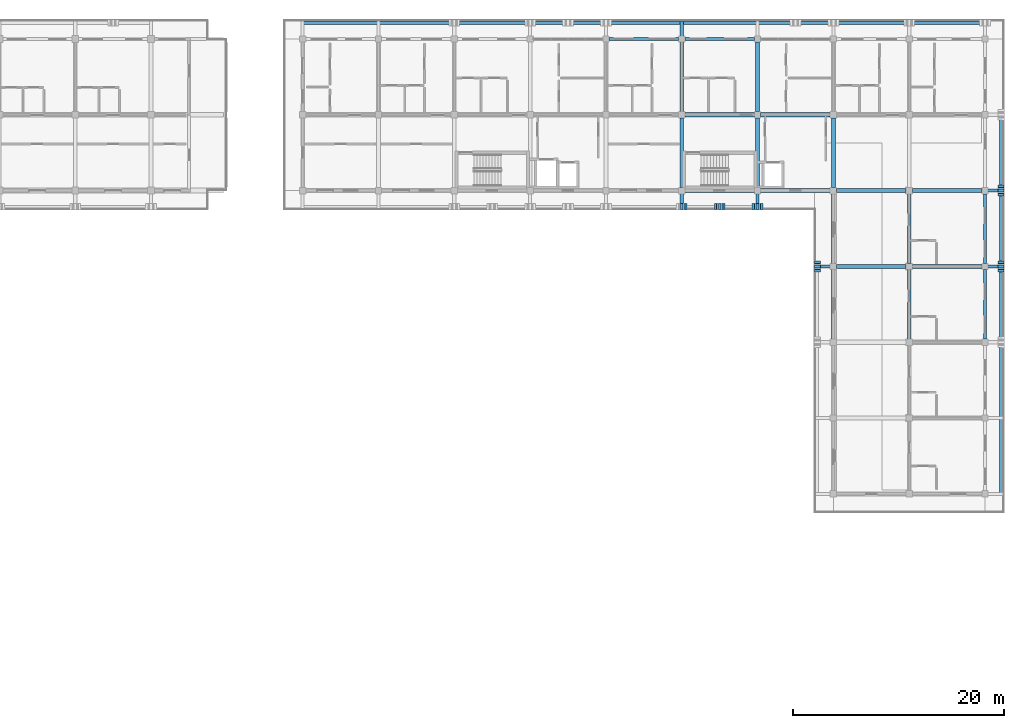
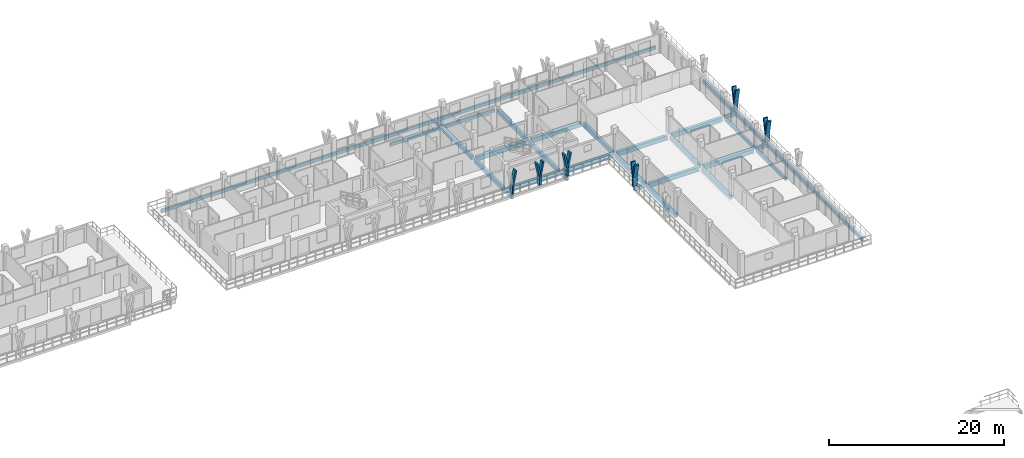
# One storey, part 30 of 75: 29 beams, 17 members.
"""IFC4 building model written with IfcOpenShell, lengths in metres."""

from ifc_helpers import new_model, si_unit, direction, frame, origin, origin_2d, place, context, subcontext, project, spatial, rectangle, extrude, material, material_profile, profile_set, type_object, element, save


model = new_model("IFC4")

# Units and contexts
model_context = context("Model", 3, precision=1e-05, world=origin(), true_north=direction((0.0, 1.0)))
body_context = subcontext(model_context, "Body", "Model", "MODEL_VIEW")
ifc_project = project(units=[si_unit("LENGTHUNIT", "METRE"), si_unit("AREAUNIT", "SQUARE_METRE"), si_unit("VOLUMEUNIT", "CUBIC_METRE"), si_unit("PLANEANGLEUNIT", "RADIAN"), si_unit("MASSUNIT", "GRAM", prefix="KILO")], contexts=[model_context])

# Site, building, storey
site_placement = place(None, origin())
site = spatial("IfcSite", under=ifc_project, at=site_placement, CompositionType="ELEMENT")
building_placement = place(site_placement, origin())
building = spatial("IfcBuilding", under=site, at=building_placement, Name="Suanplinth Sawtooth Commons", CompositionType="ELEMENT")
storey_placement = place(building_placement, frame((0.0, 0.0, 18.60009765625)))
storey = spatial("IfcBuildingStorey", under=building, at=storey_placement, Name="L05", CompositionType="ELEMENT", Elevation=18.60009765625)

# Beams
ifc_material_1 = material(Name="Precast concrete C40/50", Category="concrete")
ifc_material_profile_1 = material_profile(ifc_material_1, rectangle(XDim=0.39990234375, YDim=0.60009765625, at=origin_2d()), Name="PC-GDR 400x600")
ifc_profile_set_1 = profile_set([ifc_material_profile_1], Name="Precast concrete C40/50")
beam_type_1 = type_object("IfcBeamType", Name="B-05", PredefinedType="USERDEFINED", material=ifc_profile_set_1)
for number, where, z_axis, x_axis, name in (
    (1, (158.699951171875, 108.0, -0.550048828125), (1.0, 0.0, 0.0), (0.0, 1.0, 0.0), "BMX-L05-B-22-15"),
    (2, (158.699951171875, 115.199951171875, -0.550048828125), (1.0, 0.0, 0.0), (0.0, 1.0, 0.0), "BMX-L05-B-22-16"),
    (3, (165.89990234375, 108.0, -0.550048828125), (1.0, 0.0, 0.0), (0.0, 1.0, 0.0), "BMX-L05-B-23-15"),
    (4, (165.89990234375, 115.199951171875, -0.550048828125), (1.0, 0.0, 0.0), (0.0, 1.0, 0.0), "BMX-L05-B-23-16"),
):
    element("IfcBeam", number, at=place(storey_placement, frame(where, z_axis=z_axis, x_axis=x_axis)), inside=storey, type_object=beam_type_1, Name=name, ObjectType="GIRDER", PredefinedType="USERDEFINED", context=body_context, shape_type="SweptSolid", body=[
        extrude(rectangle(XDim=0.39990234375, YDim=0.60009765625, at=origin_2d()), origin(), (0.0, 0.0, 1.0), 6.60009765625),
    ])
for number, where, z_axis, x_axis, name in (
    (5, (173.10009765625, 100.800048828125, -0.550048828125), (1.0, 0.0, 0.0), (0.0, 1.0, 0.0), "BMX-L05-B-24-14"),
    (6, (173.10009765625, 108.0, -0.550048828125), (1.0, 0.0, 0.0), (0.0, 1.0, 0.0), "BMX-L05-B-24-15"),
    (7, (180.300048828125, 100.800048828125, -0.550048828125), (1.0, 0.0, 0.0), (0.0, 1.0, 0.0), "BMX-L05-B-25-14"),
    (8, (180.300048828125, 108.0, -0.550048828125), (1.0, 0.0, 0.0), (0.0, 1.0, 0.0), "BMX-L05-B-25-15"),
):
    element("IfcBeam", number, at=place(storey_placement, frame(where, z_axis=z_axis, x_axis=x_axis)), inside=storey, type_object=beam_type_1, Name=name, ObjectType="GIRDER", PredefinedType="USERDEFINED", context=body_context, shape_type="SweptSolid", body=[
        extrude(rectangle(XDim=0.39990234375, YDim=0.60009765625, at=origin_2d()), origin(), (0.0, 0.0, 1.0), 6.599853515625),
    ])
ifc_material_profile_2 = material_profile(ifc_material_1, rectangle(XDim=0.35009765625, YDim=0.550048828125, at=origin_2d()), Name="PC-BM 350x550")
ifc_profile_set_2 = profile_set([ifc_material_profile_2], Name="Precast concrete C40/50")
beam_type_2 = type_object("IfcBeamType", Name="B-06", PredefinedType="BEAM", material=ifc_profile_set_2)
beam_1_placement = place(storey_placement, frame((158.39990234375, 108.300048828125, -0.525146484375), z_axis=(0.0, 1.0, 0.0), x_axis=(-1.0, 0.0, 0.0)))
element("IfcBeam", 9, at=beam_1_placement, inside=storey, type_object=beam_type_2, Name="BMY-L05-B-22-15", PredefinedType="BEAM", context=body_context, shape_type="SweptSolid", body=[
    extrude(rectangle(XDim=0.35009765625, YDim=0.550048828125, at=origin_2d()), origin(), (0.0, 0.0, 1.0), 6.599853515625),
])
beam_2_placement = place(storey_placement, frame((158.39990234375, 115.5, -0.525146484375), z_axis=(0.0, 1.0, 0.0), x_axis=(-1.0, 0.0, 0.0)))
element("IfcBeam", 10, at=beam_2_placement, inside=storey, type_object=beam_type_2, Name="BMY-L05-B-22-16", PredefinedType="BEAM", context=body_context, shape_type="SweptSolid", body=[
    extrude(rectangle(XDim=0.35009765625, YDim=0.550048828125, at=origin_2d()), origin(), (0.0, 0.0, 1.0), 6.60009765625),
])
beam_3_placement = place(storey_placement, frame((165.60009765625, 108.300048828125, -0.525146484375), z_axis=(0.0, 1.0, 0.0), x_axis=(-1.0, 0.0, 0.0)))
element("IfcBeam", 11, at=beam_3_placement, inside=storey, type_object=beam_type_2, Name="BMY-L05-B-23-15", PredefinedType="BEAM", context=body_context, shape_type="SweptSolid", body=[
    extrude(rectangle(XDim=0.35009765625, YDim=0.550048828125, at=origin_2d()), origin(), (0.0, 0.0, 1.0), 6.599853515625),
])
for number, where, z_axis, x_axis, name in (
    (12, (165.60009765625, 115.5, -0.525146484375), (0.0, 1.0, 0.0), (-1.0, 0.0, 0.0), "BMY-L05-B-23-16"),
    (13, (172.800048828125, 93.89990234375, -0.525146484375), (0.0, 1.0, 0.0), (-1.0, 0.0, 0.0), "BMY-L05-B-24-13"),
):
    element("IfcBeam", number, at=place(storey_placement, frame(where, z_axis=z_axis, x_axis=x_axis)), inside=storey, type_object=beam_type_2, Name=name, PredefinedType="BEAM", context=body_context, shape_type="SweptSolid", body=[
        extrude(rectangle(XDim=0.35009765625, YDim=0.550048828125, at=origin_2d()), origin(), (0.0, 0.0, 1.0), 6.60009765625),
    ])
for number, where, z_axis, x_axis, name in (
    (14, (172.800048828125, 101.10009765625, -0.525146484375), (0.0, 1.0, 0.0), (-1.0, 0.0, 0.0), "BMY-L05-B-24-14"),
    (15, (172.800048828125, 108.300048828125, -0.525146484375), (0.0, 1.0, 0.0), (-1.0, 0.0, 0.0), "BMY-L05-B-24-15"),
):
    element("IfcBeam", number, at=place(storey_placement, frame(where, z_axis=z_axis, x_axis=x_axis)), inside=storey, type_object=beam_type_2, Name=name, PredefinedType="BEAM", context=body_context, shape_type="SweptSolid", body=[
        extrude(rectangle(XDim=0.35009765625, YDim=0.550048828125, at=origin_2d()), origin(), (0.0, 0.0, 1.0), 6.599853515625),
    ])
beam_4_placement = place(storey_placement, frame((180.0, 93.89990234375, -0.525146484375), z_axis=(0.0, 1.0, 0.0), x_axis=(-1.0, 0.0, 0.0)))
element("IfcBeam", 16, at=beam_4_placement, inside=storey, type_object=beam_type_2, Name="BMY-L05-B-25-13", PredefinedType="BEAM", context=body_context, shape_type="SweptSolid", body=[
    extrude(rectangle(XDim=0.35009765625, YDim=0.550048828125, at=origin_2d()), origin(), (0.0, 0.0, 1.0), 6.60009765625),
])
beam_5_placement = place(storey_placement, frame((180.0, 101.10009765625, -0.525146484375), z_axis=(0.0, 1.0, 0.0), x_axis=(-1.0, 0.0, 0.0)))
element("IfcBeam", 17, at=beam_5_placement, inside=storey, type_object=beam_type_2, Name="BMY-L05-B-25-14", PredefinedType="BEAM", context=body_context, shape_type="SweptSolid", body=[
    extrude(rectangle(XDim=0.35009765625, YDim=0.550048828125, at=origin_2d()), origin(), (0.0, 0.0, 1.0), 6.599853515625),
])
ifc_material_profile_3 = material_profile(ifc_material_1, rectangle(XDim=0.300048828125, YDim=0.5, at=origin_2d()), Name="PC-BM 300x500")
ifc_profile_set_3 = profile_set([ifc_material_profile_3], Name="Precast concrete C40/50")
beam_type_3 = type_object("IfcBeamType", Name="B-07", PredefinedType="BEAM", material=ifc_profile_set_3)
for number, where, z_axis, x_axis, name in (
    (18, (158.39990234375, 122.39990234375, -0.43017578125), (0.0, 1.0, 0.0), (-1.0, 0.0, 0.0), "Balcony Outrigger L05-B-N-22"),
    (19, (187.199951171875, 100.800048828125, -0.43017578125), (1.0, 0.0, 0.0), (0.0, 1.0, 0.0), "Balcony Outrigger L05-B-E-14"),
    (20, (187.199951171875, 108.0, -0.43017578125), (1.0, 0.0, 0.0), (0.0, 1.0, 0.0), "Balcony Outrigger L05-B-E-15"),
):
    element("IfcBeam", number, at=place(storey_placement, frame(where, z_axis=z_axis, x_axis=x_axis)), inside=storey, type_object=beam_type_3, Name=name, PredefinedType="BEAM", context=body_context, shape_type="SweptSolid", body=[
        extrude(rectangle(XDim=0.300048828125, YDim=0.5, at=origin_2d()), origin(), (0.0, 0.0, 1.0), 1.64013671875),
    ])
for number, where, z_axis, x_axis, name in (
    (21, (158.39990234375, 108.0, -0.425048828125), (0.0, -1.0, 0.0), (1.0, 0.0, 0.0), "Balcony Outrigger L05-B-SC-22"),
    (22, (165.60009765625, 108.0, -0.425048828125), (0.0, -1.0, 0.0), (1.0, 0.0, 0.0), "Balcony Outrigger L05-B-SC-23"),
):
    element("IfcBeam", number, at=place(storey_placement, frame(where, z_axis=z_axis, x_axis=x_axis)), inside=storey, type_object=beam_type_3, Name=name, PredefinedType="BEAM", context=body_context, shape_type="SweptSolid", body=[
        extrude(rectangle(XDim=0.300048828125, YDim=0.5, at=origin_2d()), origin(), (0.0, 0.0, 1.0), 1.639892578125),
    ])
beam_6_placement = place(storey_placement, frame((172.800048828125, 100.800048828125, -0.425048828125), z_axis=(-1.0, 0.0, 0.0), x_axis=(0.0, -1.0, 0.0)))
element("IfcBeam", 23, at=beam_6_placement, inside=storey, type_object=beam_type_3, Name="Balcony Outrigger L05-B-WC-14", PredefinedType="BEAM", context=body_context, shape_type="SweptSolid", body=[
    extrude(rectangle(XDim=0.300048828125, YDim=0.5, at=origin_2d()), origin(), (0.0, 0.0, 1.0), 1.64013671875),
])
ifc_material_profile_4 = material_profile(ifc_material_1, rectangle(XDim=0.25, YDim=0.449951171875, at=origin_2d()), Name="PC-SP 250x450")
ifc_profile_set_4 = profile_set([ifc_material_profile_4], Name="Precast concrete C40/50")
beam_type_4 = type_object("IfcBeamType", Name="B-09", PredefinedType="SPANDREL", material=ifc_profile_set_4)
for number, where, z_axis, x_axis, name in (
    (24, (151.5, 122.39990234375, -0.47509765625), (1.0, 0.0, 0.0), (0.0, 1.0, 0.0), "BMX-L05-B-21-17"),
    (25, (158.699951171875, 122.39990234375, -0.47509765625), (1.0, 0.0, 0.0), (0.0, 1.0, 0.0), "BMX-L05-B-22-17"),
    (26, (187.199951171875, 93.89990234375, -0.47509765625), (0.0, 1.0, 0.0), (-1.0, 0.0, 0.0), "BMY-L05-B-26-13"),
):
    element("IfcBeam", number, at=place(storey_placement, frame(where, z_axis=z_axis, x_axis=x_axis)), inside=storey, type_object=beam_type_4, Name=name, PredefinedType="SPANDREL", context=body_context, shape_type="SweptSolid", body=[
        extrude(rectangle(XDim=0.25, YDim=0.449951171875, at=origin_2d()), origin(), (0.0, 0.0, 1.0), 6.60009765625),
    ])
beam_7_placement = place(storey_placement, frame((187.199951171875, 101.10009765625, -0.47509765625), z_axis=(0.0, 1.0, 0.0), x_axis=(-1.0, 0.0, 0.0)))
element("IfcBeam", 27, at=beam_7_placement, inside=storey, type_object=beam_type_4, Name="BMY-L05-B-26-14", PredefinedType="SPANDREL", context=body_context, shape_type="SweptSolid", body=[
    extrude(rectangle(XDim=0.25, YDim=0.449951171875, at=origin_2d()), origin(), (0.0, 0.0, 1.0), 6.599853515625),
])
beam_8_placement = place(storey_placement, frame((122.25, 123.919921875, -0.405029296875), z_axis=(1.0, 0.0, 0.0), x_axis=(0.0, 1.0, 0.0)))
element("IfcBeam", 28, at=beam_8_placement, inside=storey, type_object=beam_type_4, Name="Balcony Edge Fascia L05-B-N", PredefinedType="SPANDREL", context=body_context, shape_type="SweptSolid", body=[
    extrude(rectangle(XDim=0.25, YDim=0.449951171875, at=origin_2d()), origin(), (0.0, 0.0, 1.0), 65.10009765625),
])
beam_9_placement = place(storey_placement, frame((188.719970703125, 79.050048828125, -0.405029296875), z_axis=(0.0, 1.0, 0.0), x_axis=(-1.0, 0.0, 0.0)))
element("IfcBeam", 29, at=beam_9_placement, inside=storey, type_object=beam_type_4, Name="Balcony Edge Fascia L05-B-E", PredefinedType="SPANDREL", context=body_context, shape_type="SweptSolid", body=[
    extrude(rectangle(XDim=0.25, YDim=0.449951171875, at=origin_2d()), origin(), (0.0, 0.0, 1.0), 36.300048828125),
])

# Members
ifc_material_2 = material(Name="Pigmented precast concrete C40/50", Category="concrete")
ifc_material_profile_5 = material_profile(ifc_material_2, rectangle(XDim=0.260009765625, YDim=0.550048828125, at=origin_2d()), Name="PC-FIN 260x550")
ifc_profile_set_5 = profile_set([ifc_material_profile_5], Name="Pigmented precast concrete C40/50")
member_type_1 = type_object("IfcMemberType", Name="M-09", PredefinedType="USERDEFINED", material=ifc_profile_set_5)
for number, where, z_axis, x_axis, name in (
    (30, (188.719970703125, 100.800048828125, 0.0), (0.0, 0.0, 1.0), (0.0, 1.0, 0.0), "Y-Blade Stem L05-B-E-10"),
    (31, (188.719970703125, 108.0, 0.0), (0.0, 0.0, 1.0), (0.0, 1.0, 0.0), "Y-Blade Stem L05-B-E-11"),
    (32, (158.39990234375, 106.47998046875, 0.0), (0.0, 0.0, 1.0), (1.0, 0.0, 0.0), "Y-Blade Stem L05-B-SC-18"),
    (33, (162.0, 106.47998046875, 0.0), (0.0, 0.0, 1.0), (1.0, 0.0, 0.0), "Y-Blade Stem L05-B-SC-19"),
    (34, (165.60009765625, 106.47998046875, 0.0), (0.0, 0.0, 1.0), (1.0, 0.0, 0.0), "Y-Blade Stem L05-B-SC-20"),
    (35, (171.280029296875, 100.800048828125, 0.0), (0.0, 0.0, 1.0), (0.0, 1.0, 0.0), "Y-Blade Stem L05-B-WC-22"),
):
    element("IfcMember", number, at=place(storey_placement, frame(where, z_axis=z_axis, x_axis=x_axis)), inside=storey, type_object=member_type_1, Name=name, ObjectType="SHADING FIN", PredefinedType="USERDEFINED", context=body_context, shape_type="SweptSolid", body=[
        extrude(rectangle(XDim=0.260009765625, YDim=0.550048828125, at=origin_2d()), origin(), (0.0, 0.0, 1.0), 1.169921875),
    ])
ifc_material_profile_6 = material_profile(ifc_material_2, rectangle(XDim=0.219970703125, YDim=0.550048828125, at=origin_2d()), Name="PC-FIN 220x550")
ifc_profile_set_6 = profile_set([ifc_material_profile_6], Name="Pigmented precast concrete C40/50")
member_type_2 = type_object("IfcMemberType", Name="M-10", PredefinedType="USERDEFINED", material=ifc_profile_set_6)
for number, where, z_axis, x_axis, name in (
    (36, (188.719970703125, 100.800048828125, 1.1298828125), (0.0, -0.196530428008, 0.98049772609), (0.0, 0.98049772609, 0.196530428008), "Y-Blade Arm L L05-B-E-10"),
    (37, (188.719970703125, 100.800048828125, 1.1298828125), (0.0, 0.196415357203, 0.980520783795), (0.0, -0.980520783795, 0.196415357203), "Y-Blade Arm R L05-B-E-10"),
    (38, (188.719970703125, 108.0, 1.1298828125), (0.0, -0.196530428008, 0.98049772609), (0.0, 0.98049772609, 0.196530428008), "Y-Blade Arm L L05-B-E-11"),
    (39, (188.719970703125, 108.0, 1.1298828125), (0.0, 0.196530428008, 0.98049772609), (0.0, -0.98049772609, 0.196530428008), "Y-Blade Arm R L05-B-E-11"),
    (40, (158.39990234375, 106.47998046875, 1.1298828125), (0.196530428008, 0.0, 0.98049772609), (-0.98049772609, 0.0, 0.196530428008), "Y-Blade Arm R L05-B-SC-18"),
    (41, (162.0, 106.47998046875, 1.1298828125), (-0.196530428008, 0.0, 0.98049772609), (0.98049772609, 0.0, 0.196530428008), "Y-Blade Arm L L05-B-SC-19"),
    (42, (162.0, 106.47998046875, 1.1298828125), (0.196530428008, 0.0, 0.98049772609), (-0.98049772609, 0.0, 0.196530428008), "Y-Blade Arm R L05-B-SC-19"),
    (43, (165.60009765625, 106.47998046875, 1.1298828125), (-0.196530428008, 0.0, 0.98049772609), (0.98049772609, 0.0, 0.196530428008), "Y-Blade Arm L L05-B-SC-20"),
    (44, (165.60009765625, 106.47998046875, 1.1298828125), (0.196415357203, 0.0, 0.980520783795), (-0.980520783795, 0.0, 0.196415357203), "Y-Blade Arm R L05-B-SC-20"),
    (45, (171.280029296875, 100.800048828125, 1.1298828125), (0.0, -0.196530428008, 0.98049772609), (0.0, 0.98049772609, 0.196530428008), "Y-Blade Arm L L05-B-WC-22"),
    (46, (171.280029296875, 100.800048828125, 1.1298828125), (0.0, 0.196415357203, 0.980520783795), (0.0, -0.980520783795, 0.196415357203), "Y-Blade Arm R L05-B-WC-22"),
):
    element("IfcMember", number, at=place(storey_placement, frame(where, z_axis=z_axis, x_axis=x_axis)), inside=storey, type_object=member_type_2, Name=name, ObjectType="SHADING FIN", PredefinedType="USERDEFINED", context=body_context, shape_type="SweptSolid", body=[
        extrude(rectangle(XDim=0.219970703125, YDim=0.550048828125, at=origin_2d()), origin(), (0.0, 0.0, 1.0), 2.039794921875),
    ])

save(model, "model.ifc")
